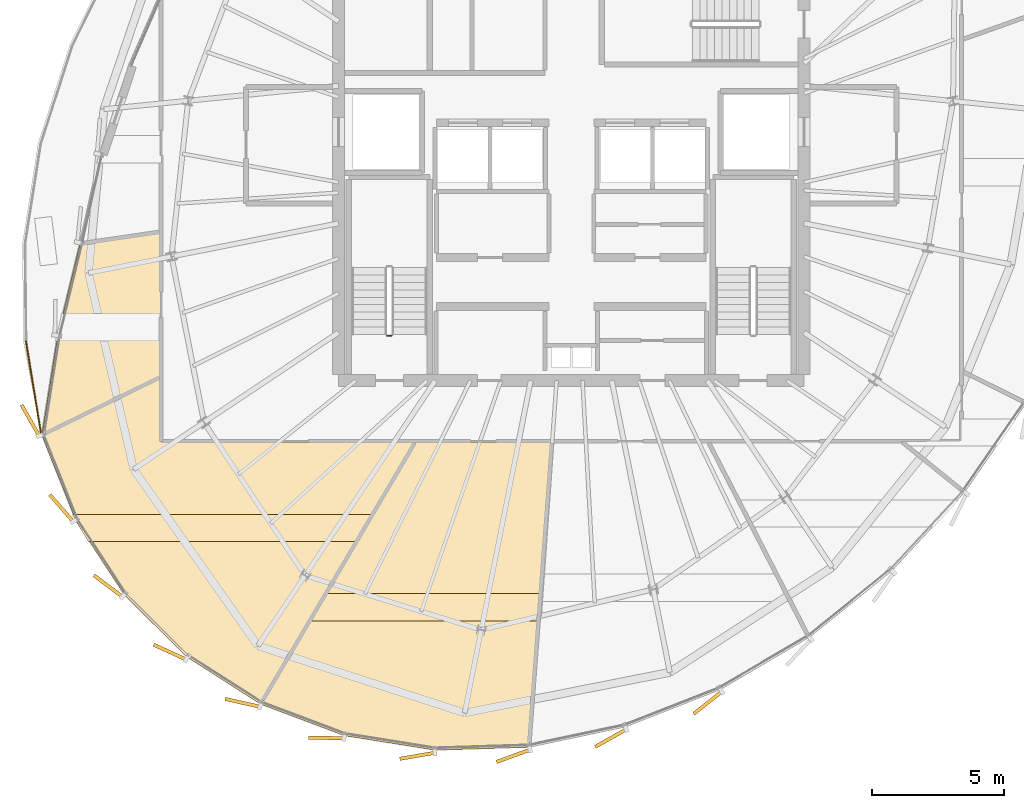
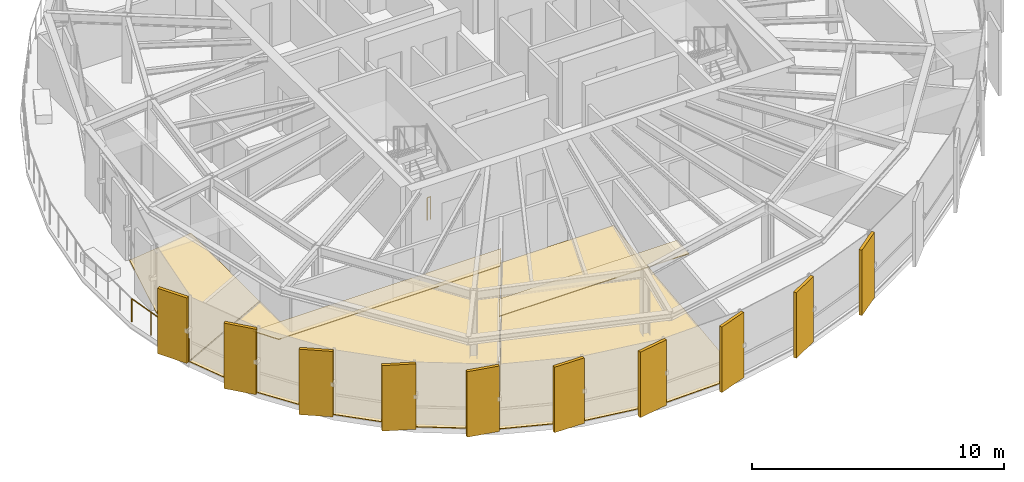
# One storey, part 32 of 36: 15 coverings, 2 railings.
"""IFC4 building model written with IfcOpenShell, lengths in metres."""

from ifc_helpers import new_model, si_unit, direction, frame, origin, origin_2d, place, context, subcontext, project, spatial, polyline, rectangle, circle, outline, extrude, source, transform, mapped, material, layer, layer_set, type_object, element, save


model = new_model("IFC4")

# Units and contexts
model_context = context("Model", 3, precision=1e-05, world=origin(), true_north=direction((0.0, 1.0)))
body_context = subcontext(model_context, "Body", "Model", "MODEL_VIEW")
ifc_project = project(units=[si_unit("LENGTHUNIT", "METRE"), si_unit("AREAUNIT", "SQUARE_METRE"), si_unit("VOLUMEUNIT", "CUBIC_METRE"), si_unit("PLANEANGLEUNIT", "RADIAN"), si_unit("MASSUNIT", "GRAM", prefix="KILO"), si_unit("THERMODYNAMICTEMPERATUREUNIT", "KELVIN")], contexts=[model_context])

# Site, building, storey
site_placement = place(None, origin())
site = spatial("IfcSite", under=ifc_project, at=site_placement, CompositionType="ELEMENT")
building_placement = place(site_placement, origin())
building = spatial("IfcBuilding", under=site, at=building_placement, Name="Kethvar Cultural Tower", CompositionType="ELEMENT")
storey_placement = place(building_placement, frame((0.0, 0.0, 242.199951171875)))
storey = spatial("IfcBuildingStorey", under=building, at=storey_placement, Name="L63", CompositionType="ELEMENT", Elevation=242.199951171875)

# Coverings
ifc_material_1 = material(Name="Acoustic Mineral Fibre Ceiling")
ifc_layer_1 = layer(ifc_material_1, 0.0400390625, Name="Acoustic Mineral Fibre Ceiling")
ifc_layer_set_1 = layer_set([ifc_layer_1], Name="Acoustic Mineral Fibre Ceiling (40 mm)")
covering_type_1 = type_object("IfcCoveringType", Name="CV-ACOUSTIC-CEIL", PredefinedType="CEILING", material=ifc_layer_set_1)
covering_1_placement = place(storey_placement, frame((0.0, 0.0, 2.89013671875)))
element("IfcCovering", 1, at=covering_1_placement, inside=storey, type_object=covering_type_1, Name="L63 Room 02 Acoustic Ceiling Panel", PredefinedType="CEILING", context=body_context, shape_type="SweptSolid", body=[
    extrude(outline(polyline([(28.537841796875, 14.0087890625), (27.924072265625, 15.038818359375), (39.313720703125, 15.038818359375), (38.70751953125, 14.0087890625), (28.537841796875, 14.0087890625)])), origin(), (0.0, 0.0, 1.0), 0.039794921875),
])
covering_2_placement = place(storey_placement, frame((0.0, 0.0, 2.89013671875)))
element("IfcCovering", 2, at=covering_2_placement, inside=storey, type_object=covering_type_1, Name="L63 Room 03 Acoustic Ceiling Panel", PredefinedType="CEILING", context=body_context, shape_type="SweptSolid", body=[
    extrude(outline(polyline([(37.50341796875, 12.04150390625), (45.669189453125, 12.04150390625), (45.593994140625, 11.011474609375), (36.8974609375, 11.011474609375), (37.50341796875, 12.04150390625)])), origin(), (0.0, 0.0, 1.0), 0.039794921875),
])
ifc_material_2 = material(Name="Honed Warm Limestone", Category="masonry")
ifc_layer_2 = layer(ifc_material_2, 0.030029296875, Name="Honed Warm Limestone", Category="masonry")
ifc_layer_set_2 = layer_set([ifc_layer_2], Name="Honed Warm Limestone (30 mm)")
covering_type_2 = type_object("IfcCoveringType", Name="CV-STONE-FLOOR", PredefinedType="FLOORING", material=ifc_layer_set_2)
covering_3_placement = place(storey_placement, origin())
element("IfcCovering", 3, at=covering_3_placement, inside=storey, type_object=covering_type_2, Name="L63 Room 01 Floor Finish", PredefinedType="FLOORING", context=body_context, shape_type="SweptSolid", body=[
    extrude(outline(polyline([(27.370849609375, 21.803955078125), (28.2197265625, 25.294189453125), (31.27001953125, 25.702392578125), (31.27001953125, 20.257080078125), (26.78076171875, 18.0703125), (27.370849609375, 21.803955078125)])), origin(), (0.0, 0.0, 1.0), 0.030029296875),
])
covering_4_placement = place(storey_placement, origin())
element("IfcCovering", 4, at=covering_4_placement, inside=storey, type_object=covering_type_2, Name="L63 Room 02 Floor Finish", PredefinedType="FLOORING", context=body_context, shape_type="SweptSolid", body=[
    extrude(outline(polyline([(35.049560546875, 7.87109375), (32.262451171875, 9.654296875), (29.901123046875, 11.998291015625), (28.052978515625, 14.822509765625), (26.780517578125, 18.025634765625), (31.27001953125, 20.212646484375), (31.2841796875, 17.787841796875), (40.884521484375, 17.787109375), (35.049560546875, 7.87109375)])), origin(), (0.0, 0.0, 1.0), 0.030029296875),
])
covering_5_placement = place(storey_placement, origin())
element("IfcCovering", 5, at=covering_5_placement, inside=storey, type_object=covering_type_2, Name="L63 Room 03 Floor Finish", PredefinedType="FLOORING", context=body_context, shape_type="SweptSolid", body=[
    extrude(outline(polyline([(41.644775390625, 6.127685546875), (38.224609375, 6.673583984375), (35.08544921875, 7.853515625), (40.930908203125, 17.787109375), (46.048583984375, 17.787109375), (45.205322265625, 6.23974609375), (41.644775390625, 6.127685546875)])), origin(), (0.0, 0.0, 1.0), 0.030029296875),
])

# Railings
ifc_material_3 = material(Name="Steel S355J2", Category="steel")
railing_type_1 = type_object("IfcRailingType", Name="RL-EXT-GUARD-1150", PredefinedType="BALUSTRADE", material=ifc_material_3)
railing_1_placement = place(storey_placement, frame((26.1796875, 21.58349609375, 0.0)))
element("IfcRailing", 6, at=railing_1_placement, inside=storey, type_object=railing_type_1, Name="L63 Spiralling Terrace Balustrade 07", PredefinedType="BALUSTRADE", context=body_context, shape_type="SweptSolid", body=[
    extrude(circle(Radius=0.02392578125, at=origin_2d()), frame((0.0, 0.0, 1.1259765625), z_axis=(0.160035382091, -0.987111278671, 0.0), x_axis=(0.987111278671, 0.160035382091, 0.0)), (0.0, 0.0, 1.0), 3.59423828125),
    extrude(circle(Radius=0.02099609375, at=origin_2d()), origin(), (0.0, 0.0, 1.0), 1.101806640625),
    extrude(circle(Radius=0.02099609375, at=origin_2d()), frame((0.191650390625, -1.1826171875, 0.0)), (0.0, 0.0, 1.0), 1.101806640625),
    extrude(circle(Radius=0.02099609375, at=origin_2d()), frame((0.383544921875, -2.365234375, 0.0)), (0.0, 0.0, 1.0), 1.101806640625),
    extrude(circle(Radius=0.02099609375, at=origin_2d()), frame((0.5751953125, -3.5478515625, 0.0)), (0.0, 0.0, 1.0), 1.101806640625),
])
railing_type_2 = type_object("IfcRailingType", Name="RL-STAIR-GUARD", PredefinedType="BALUSTRADE", material=ifc_material_3)
railing_2_placement = place(storey_placement, frame((40.0, 21.800048828125, 0.0)))
element("IfcRailing", 7, at=railing_2_placement, inside=storey, type_object=railing_type_2, Name="L63 ST-01 stair guard 4", PredefinedType="BALUSTRADE", context=body_context, shape_type="SweptSolid", body=[
    extrude(circle(Radius=0.02392578125, at=origin_2d()), frame((0.0, 0.0, 1.09619140625), z_axis=(-1.0, 0.0, 0.0), x_axis=(0.0, -1.0, 0.0)), (0.0, 0.0, 1.0), 0.159912109375),
    extrude(circle(Radius=0.02099609375, at=origin_2d()), origin(), (0.0, 0.0, 1.0), 1.072021484375),
    extrude(circle(Radius=0.02099609375, at=origin_2d()), frame((-0.159912109375, 0.0, 0.0)), (0.0, 0.0, 1.0), 1.072021484375),
])

# Coverings
ifc_material_4 = material(Name="Extruded Architectural Terracotta", Category="masonry")
ifc_layer_3 = layer(ifc_material_4, 0.135009765625, Name="Extruded Architectural Terracotta", Category="masonry")
ifc_layer_set_3 = layer_set([ifc_layer_3], Name="Extruded Architectural Terracotta (135 mm)")
covering_type_3 = type_object("IfcCoveringType", Name="Terracotta Facade Fin FIN-03", PredefinedType="CLADDING", material=ifc_layer_set_3)
shared_shape = source(origin(), body_context, "Body", "SweptSolid", [
    extrude(rectangle(XDim=1.35009765625, YDim=0.135009765625, at=origin_2d()), origin(), (0.0, 0.0, 1.0), 3.169921875),
])
for number, where, z_axis, x_axis, name in (
    (8, (26.346435546875, 18.592529296875, 0.02001953125), (0.0, 0.0, 1.0), (-0.495003786139, 0.868890816908, 0.0), "L63 Vertical Terracotta Fin 3.4"),
    (9, (27.523681640625, 15.27734375, 0.02001953125), (0.0, 0.0, 1.0), (-0.658689460119, 0.752414908896, 0.0), "L63 Vertical Terracotta Fin 3.5"),
    (10, (29.288818359375, 12.3330078125, 0.02001953125), (0.0, 0.0, 1.0), (-0.800835908093, 0.598883835404, 0.0), "L63 Vertical Terracotta Fin 3.6"),
    (11, (31.623291015625, 9.8330078125, 0.02001953125), (0.0, 0.0, 1.0), (-0.909163440495, 0.416439477557, 0.0), "L63 Vertical Terracotta Fin 4.1"),
    (12, (34.369384765625, 7.91552734375, 0.02001953125), (0.0, 0.0, 1.0), (-0.975916761939, 0.218143241397, 0.0), "L63 Vertical Terracotta Fin 4.2"),
    (13, (37.531982421875, 6.587890625, 0.02001953125), (0.0, 0.0, 1.0), (-0.999825626826, 0.018673937509, 0.0), "L63 Vertical Terracotta Fin 4.3"),
    (14, (40.980712890625, 5.912841796875, 0.02001953125), (0.0, 0.0, 1.0), (-0.985407898483, -0.170209499166, 0.0), "L63 Vertical Terracotta Fin 4.4"),
    (15, (44.606201171875, 5.91162109375, 0.02001953125), (0.0, 0.0, 1.0), (-0.939931166873, -0.341364030823, 0.0), "L63 Vertical Terracotta Fin 4.5"),
    (16, (48.2939453125, 6.58251953125, 0.02001953125), (0.0, 0.0, 1.0), (-0.870870883366, -0.491511855915, 0.0), "L63 Vertical Terracotta Fin 4.6"),
    (17, (51.960693359375, 7.919189453125, 0.02001953125), (0.0, 0.0, 1.0), (-0.783910231054, -0.620874181818, 0.0), "L63 Vertical Terracotta Fin 5.1"),
):
    element("IfcCovering", number, at=place(storey_placement, frame(where, z_axis=z_axis, x_axis=x_axis)), inside=storey, type_object=covering_type_3, Name=name, PredefinedType="CLADDING", context=body_context, shape_type="MappedRepresentation", body=[
        mapped(shared_shape, transform((0.0, 0.0, 0.0), scale=1.0)),
    ])

save(model, "model.ifc")
